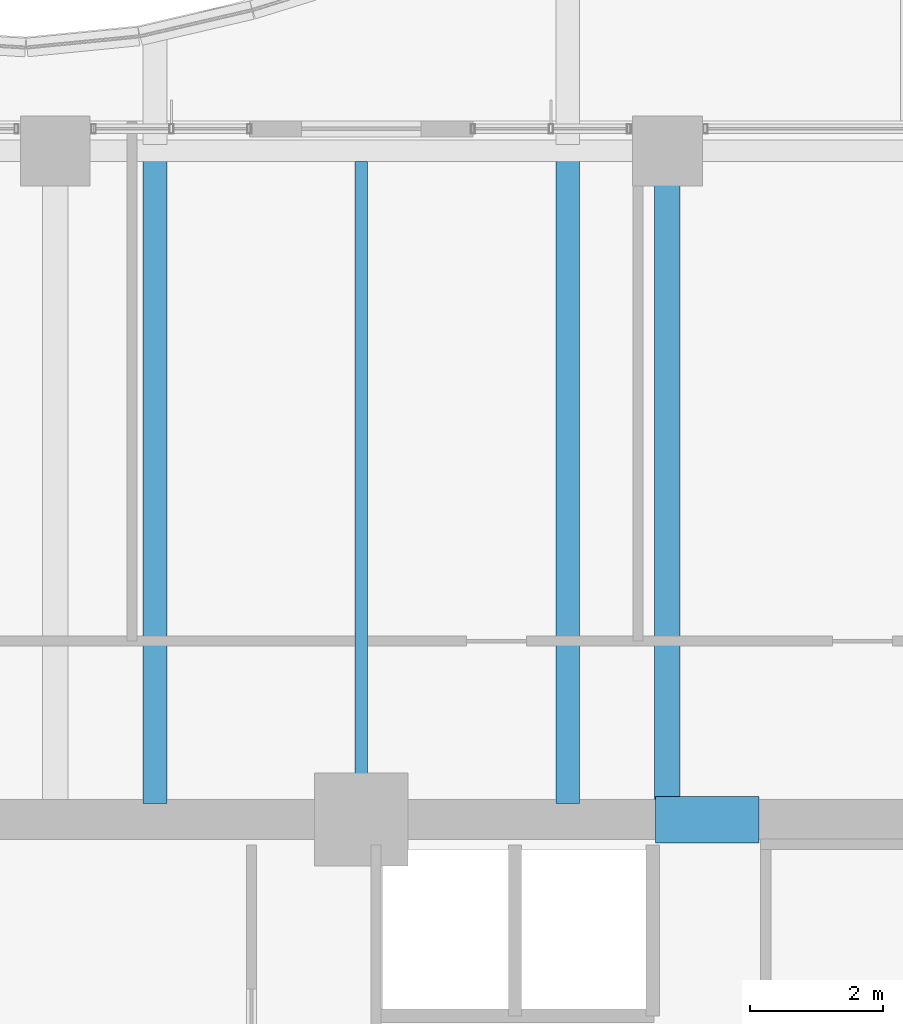
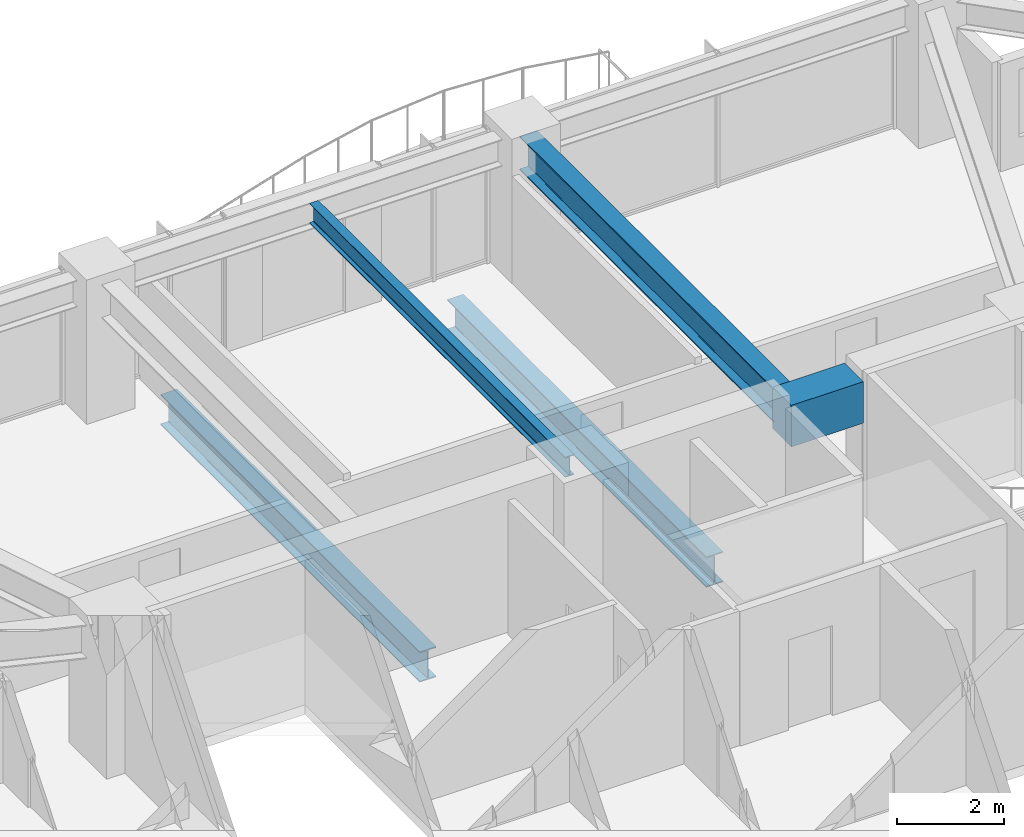
# One storey, part 20 of 38: 5 beams.
"""IFC4 building model written with IfcOpenShell, lengths in metres."""

from ifc_helpers import new_model, si_unit, direction, frame, origin, origin_2d, place, context, subcontext, project, spatial, rectangle, i_section, extrude, material, material_profile, profile_set, type_object, element, save


model = new_model("IFC4")

# Units and contexts
model_context = context("Model", 3, precision=1e-05, world=origin(), true_north=direction((0.0, 1.0)))
body_context = subcontext(model_context, "Body", "Model", "MODEL_VIEW")
ifc_project = project(units=[si_unit("LENGTHUNIT", "METRE"), si_unit("AREAUNIT", "SQUARE_METRE"), si_unit("VOLUMEUNIT", "CUBIC_METRE"), si_unit("PLANEANGLEUNIT", "RADIAN"), si_unit("MASSUNIT", "GRAM", prefix="KILO")], contexts=[model_context])

# Site, building, storey
site_placement = place(None, origin())
site = spatial("IfcSite", under=ifc_project, at=site_placement, CompositionType="ELEMENT")
building_placement = place(site_placement, origin())
building = spatial("IfcBuilding", under=site, at=building_placement, Name="Kolvaren Belvedere", CompositionType="ELEMENT")
storey_placement = place(building_placement, frame((0.0, 0.0, 98.60009765625)))
storey = spatial("IfcBuildingStorey", under=building, at=storey_placement, Name="L28", CompositionType="ELEMENT", Elevation=98.60009765625)

# Beams
ifc_material_1 = material(Name="Structural steel ASTM A992 Grade 50", Category="steel")
ifc_material_profile_1 = material_profile(ifc_material_1, i_section(OverallWidth=0.35498046875, OverallDepth=0.696044921875, WebThickness=0.015380859375, FlangeThickness=0.02490234375, FilletRadius=0.02197265625, at=origin_2d()), Name="W27X146")
ifc_profile_set_1 = profile_set([ifc_material_profile_1], Name="Structural steel ASTM A992 Grade 50")
beam_type_1 = type_object("IfcBeamType", Name="BM-GIRD-W27X146", PredefinedType="BEAM", material=ifc_profile_set_1)
for number, where, z_axis, x_axis, name in (
    (1, (-3.10009765625, 10.139892578125, -0.568115234375), (0.0, 1.0, 0.0), (-1.0, 0.0, 0.0), "L28 Balcony Interior Back-Span Girder BAL-N-1"),
    (2, (3.10009765625, 10.139892578125, -0.568115234375), (0.0, 1.0, 0.0), (-1.0, 0.0, 0.0), "L28 Balcony Interior Back-Span Girder BAL-N-2"),
):
    element("IfcBeam", number, at=place(storey_placement, frame(where, z_axis=z_axis, x_axis=x_axis)), inside=storey, type_object=beam_type_1, Name=name, PredefinedType="BEAM", context=body_context, shape_type="SweptSolid", body=[
        extrude(i_section(OverallWidth=0.35498046875, OverallDepth=0.696044921875, WebThickness=0.015380859375, FlangeThickness=0.02490234375, FilletRadius=0.02197265625, at=origin_2d()), origin(), (0.0, 0.0, 1.0), 9.715087890625),
    ])
ifc_material_2 = material(Name="Structural steel ASTM A992 Grade 50", Category="steel")
ifc_material_profile_2 = material_profile(ifc_material_2, i_section(OverallWidth=0.381103515625, OverallDepth=0.77294921875, WebThickness=0.0166015625, FlangeThickness=0.027099609375, FilletRadius=0.02392578125, at=origin_2d()), Name="W30X173")
ifc_profile_set_2 = profile_set([ifc_material_profile_2], Name="Structural steel ASTM A992 Grade 50")
beam_type_2 = type_object("IfcBeamType", Name="BM-GIRD-W30X173", PredefinedType="BEAM", material=ifc_profile_set_2)
beam_1_placement = place(storey_placement, frame((4.60009765625, 10.199951171875, 2.693359375), z_axis=(0.0, 1.0, 0.0), x_axis=(-1.0, 0.0, 0.0)))
element("IfcBeam", 3, at=beam_1_placement, inside=storey, type_object=beam_type_2, Name="L28 North Radial Girder P", PredefinedType="BEAM", context=body_context, shape_type="SweptSolid", body=[
    extrude(i_section(OverallWidth=0.381103515625, OverallDepth=0.77294921875, WebThickness=0.0166015625, FlangeThickness=0.027099609375, FilletRadius=0.02392578125, at=origin_2d()), origin(), (0.0, 0.0, 1.0), 9.513916015625),
])
ifc_material_3 = material(Name="Structural steel ASTM A992 Grade 50", Category="steel")
ifc_material_profile_3 = material_profile(ifc_material_3, i_section(OverallWidth=0.19091796875, OverallDepth=0.4599609375, WebThickness=0.010009765625, FlangeThickness=0.01611328125, FilletRadius=0.014892578125, at=origin_2d()), Name="W18X55")
ifc_profile_set_3 = profile_set([ifc_material_profile_3], Name="Structural steel ASTM A992 Grade 50")
beam_type_3 = type_object("IfcBeamType", Name="BM-JOIST-W18X55", PredefinedType="BEAM", material=ifc_profile_set_3)
beam_2_placement = place(storey_placement, frame((0.0, 10.199951171875, 2.849853515625), z_axis=(0.0, 1.0, 0.0), x_axis=(-1.0, 0.0, 0.0)))
element("IfcBeam", 4, at=beam_2_placement, inside=storey, type_object=beam_type_3, Name="L28 North Centre Floor Beam", PredefinedType="BEAM", context=body_context, shape_type="SweptSolid", body=[
    extrude(i_section(OverallWidth=0.19091796875, OverallDepth=0.4599609375, WebThickness=0.010009765625, FlangeThickness=0.01611328125, FilletRadius=0.014892578125, at=origin_2d()), origin(), (0.0, 0.0, 1.0), 9.587646484375),
])
ifc_material_4 = material(Name="Concrete C60/75", Category="concrete")
ifc_material_profile_4 = material_profile(ifc_material_4, rectangle(XDim=0.699951171875, YDim=0.949951171875, at=origin_2d()), Name="RC 700X950")
ifc_profile_set_4 = profile_set([ifc_material_profile_4], Name="Concrete C60/75")
beam_type_4 = type_object("IfcBeamType", Name="BM-LINT-950", PredefinedType="LINTEL", material=ifc_profile_set_4)
beam_3_placement = place(storey_placement, frame((4.419921875, 9.89990234375, 2.60498046875), z_axis=(1.0, 0.0, 0.0), x_axis=(0.0, 1.0, 0.0)))
element("IfcBeam", 5, at=beam_3_placement, inside=storey, type_object=beam_type_4, Name="L28 North Core Coupling Lintel", PredefinedType="LINTEL", context=body_context, shape_type="SweptSolid", body=[
    extrude(rectangle(XDim=0.699951171875, YDim=0.949951171875, at=origin_2d()), origin(), (0.0, 0.0, 1.0), 1.56005859375),
])

save(model, "model.ifc")
